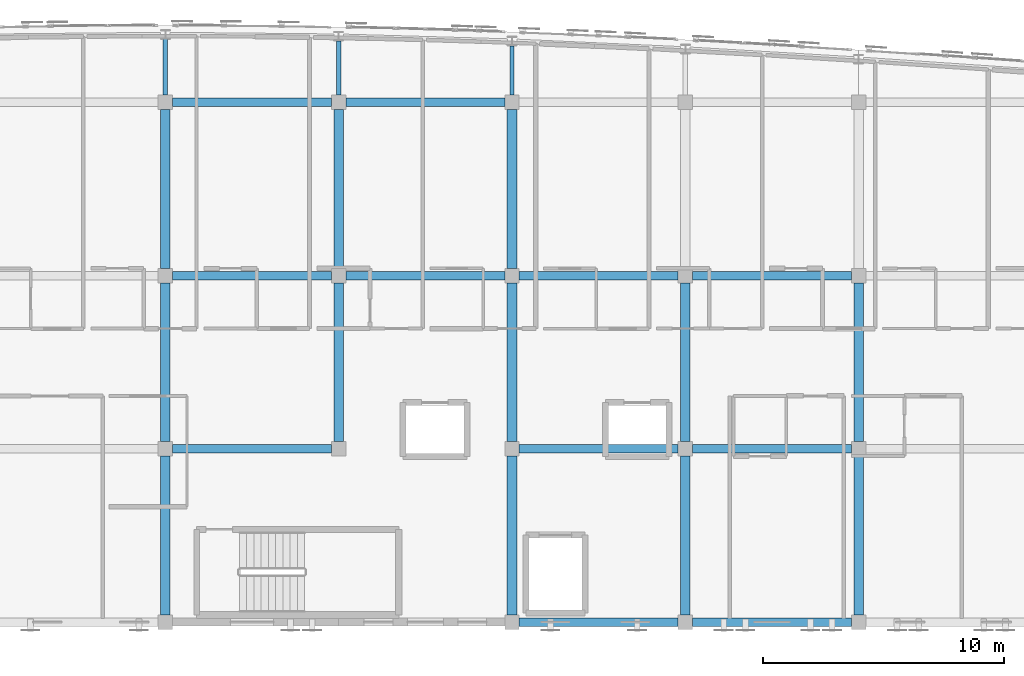
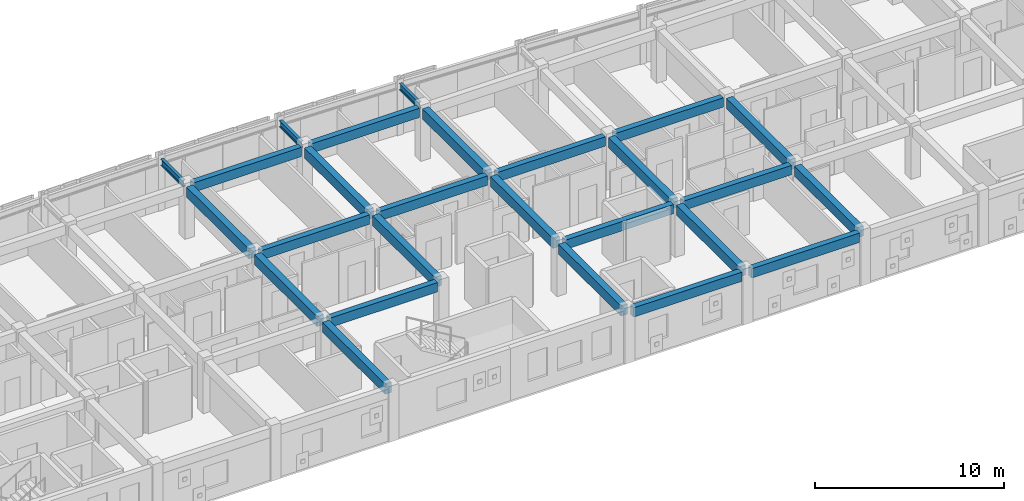
# One storey, part 17 of 45: 26 beams.
"""IFC4 building model written with IfcOpenShell, lengths in metres."""

from ifc_helpers import new_model, si_unit, direction, frame, origin, origin_2d, place, context, subcontext, project, spatial, rectangle, i_section, extrude, material, material_profile, profile_set, type_object, element, save


model = new_model("IFC4")

# Units and contexts
model_context = context("Model", 3, precision=1e-05, world=origin(), true_north=direction((0.0, 1.0)))
body_context = subcontext(model_context, "Body", "Model", "MODEL_VIEW")
ifc_project = project(units=[si_unit("LENGTHUNIT", "METRE"), si_unit("AREAUNIT", "SQUARE_METRE"), si_unit("VOLUMEUNIT", "CUBIC_METRE"), si_unit("PLANEANGLEUNIT", "RADIAN"), si_unit("MASSUNIT", "GRAM", prefix="KILO")], contexts=[model_context])

# Site, building, storey
site_placement = place(None, origin())
site = spatial("IfcSite", under=ifc_project, at=site_placement, CompositionType="ELEMENT")
building_placement = place(site_placement, origin())
building = spatial("IfcBuilding", under=site, at=building_placement, Name="Carrowvane Square Congress Hotel", CompositionType="ELEMENT")
storey_placement = place(building_placement, frame((0.0, 0.0, 33.60009765625)))
storey = spatial("IfcBuildingStorey", under=building, at=storey_placement, Name="L08", CompositionType="ELEMENT", Elevation=33.60009765625)

# Beams
ifc_material_1 = material(Name="Concrete C35/45", Category="concrete")
ifc_material_profile_1 = material_profile(ifc_material_1, rectangle(XDim=0.35009765625, YDim=0.60009765625, at=origin_2d()), Name="RC 350x600")
ifc_profile_set_1 = profile_set([ifc_material_profile_1], Name="Concrete C35/45")
beam_type_1 = type_object("IfcBeamType", Name="BM-RC-350x600", PredefinedType="BEAM", material=ifc_profile_set_1)
for number, where, z_axis, x_axis, name in (
    (1, (112.699951171875, 91.800048828125, 3.059814453125), (1.0, 0.0, 0.0), (0.0, 1.0, 0.0), "L09 girder N/15-16"),
    (2, (119.89990234375, 91.800048828125, 3.059814453125), (1.0, 0.0, 0.0), (0.0, 1.0, 0.0), "L09 girder N/16-17"),
):
    element("IfcBeam", number, at=place(storey_placement, frame(where, z_axis=z_axis, x_axis=x_axis)), inside=storey, type_object=beam_type_1, Name=name, PredefinedType="BEAM", context=body_context, shape_type="SweptSolid", body=[
        extrude(rectangle(XDim=0.35009765625, YDim=0.60009765625, at=origin_2d()), origin(), (0.0, 0.0, 1.0), 6.60009765625),
    ])
beam_1_placement = place(storey_placement, frame((98.300048828125, 99.0, 3.059814453125), z_axis=(1.0, 0.0, 0.0), x_axis=(0.0, 1.0, 0.0)))
element("IfcBeam", 3, at=beam_1_placement, inside=storey, type_object=beam_type_1, Name="L09 girder P/13-14", PredefinedType="BEAM", context=body_context, shape_type="SweptSolid", body=[
    extrude(rectangle(XDim=0.35009765625, YDim=0.60009765625, at=origin_2d()), origin(), (0.0, 0.0, 1.0), 6.599853515625),
])
for number, where, z_axis, x_axis, name in (
    (4, (112.699951171875, 99.0, 3.059814453125), (1.0, 0.0, 0.0), (0.0, 1.0, 0.0), "L09 girder P/15-16"),
    (5, (119.89990234375, 99.0, 3.059814453125), (1.0, 0.0, 0.0), (0.0, 1.0, 0.0), "L09 girder P/16-17"),
):
    element("IfcBeam", number, at=place(storey_placement, frame(where, z_axis=z_axis, x_axis=x_axis)), inside=storey, type_object=beam_type_1, Name=name, PredefinedType="BEAM", context=body_context, shape_type="SweptSolid", body=[
        extrude(rectangle(XDim=0.35009765625, YDim=0.60009765625, at=origin_2d()), origin(), (0.0, 0.0, 1.0), 6.60009765625),
    ])
beam_2_placement = place(storey_placement, frame((98.300048828125, 106.199951171875, 3.059814453125), z_axis=(1.0, 0.0, 0.0), x_axis=(0.0, 1.0, 0.0)))
element("IfcBeam", 6, at=beam_2_placement, inside=storey, type_object=beam_type_1, Name="L09 girder Q/13-14", PredefinedType="BEAM", context=body_context, shape_type="SweptSolid", body=[
    extrude(rectangle(XDim=0.35009765625, YDim=0.60009765625, at=origin_2d()), origin(), (0.0, 0.0, 1.0), 6.599853515625),
])
for number, where, z_axis, x_axis, name in (
    (7, (105.5, 106.199951171875, 3.059814453125), (1.0, 0.0, 0.0), (0.0, 1.0, 0.0), "L09 girder Q/14-15"),
    (8, (112.699951171875, 106.199951171875, 3.059814453125), (1.0, 0.0, 0.0), (0.0, 1.0, 0.0), "L09 girder Q/15-16"),
    (9, (119.89990234375, 106.199951171875, 3.059814453125), (1.0, 0.0, 0.0), (0.0, 1.0, 0.0), "L09 girder Q/16-17"),
):
    element("IfcBeam", number, at=place(storey_placement, frame(where, z_axis=z_axis, x_axis=x_axis)), inside=storey, type_object=beam_type_1, Name=name, PredefinedType="BEAM", context=body_context, shape_type="SweptSolid", body=[
        extrude(rectangle(XDim=0.35009765625, YDim=0.60009765625, at=origin_2d()), origin(), (0.0, 0.0, 1.0), 6.60009765625),
    ])
beam_3_placement = place(storey_placement, frame((98.300048828125, 113.39990234375, 3.059814453125), z_axis=(1.0, 0.0, 0.0), x_axis=(0.0, 1.0, 0.0)))
element("IfcBeam", 10, at=beam_3_placement, inside=storey, type_object=beam_type_1, Name="L09 girder R/13-14", PredefinedType="BEAM", context=body_context, shape_type="SweptSolid", body=[
    extrude(rectangle(XDim=0.35009765625, YDim=0.60009765625, at=origin_2d()), origin(), (0.0, 0.0, 1.0), 6.599853515625),
])
beam_4_placement = place(storey_placement, frame((105.5, 113.39990234375, 3.059814453125), z_axis=(1.0, 0.0, 0.0), x_axis=(0.0, 1.0, 0.0)))
element("IfcBeam", 11, at=beam_4_placement, inside=storey, type_object=beam_type_1, Name="L09 girder R/14-15", PredefinedType="BEAM", context=body_context, shape_type="SweptSolid", body=[
    extrude(rectangle(XDim=0.35009765625, YDim=0.60009765625, at=origin_2d()), origin(), (0.0, 0.0, 1.0), 6.60009765625),
])
ifc_material_2 = material(Name="Concrete C35/45", Category="concrete")
ifc_material_profile_2 = material_profile(ifc_material_2, rectangle(XDim=0.39990234375, YDim=0.64990234375, at=origin_2d()), Name="RC 400x650")
ifc_profile_set_2 = profile_set([ifc_material_profile_2], Name="Concrete C35/45")
beam_type_2 = type_object("IfcBeamType", Name="BM-RC-400x650", PredefinedType="BEAM", material=ifc_profile_set_2)
for number, where, z_axis, x_axis, name in (
    (12, (98.0, 92.10009765625, 3.034912109375), (0.0, 1.0, 0.0), (-1.0, 0.0, 0.0), "L09 girder 13/N-P"),
    (13, (98.0, 99.300048828125, 3.034912109375), (0.0, 1.0, 0.0), (-1.0, 0.0, 0.0), "L09 girder 13/P-Q"),
):
    element("IfcBeam", number, at=place(storey_placement, frame(where, z_axis=z_axis, x_axis=x_axis)), inside=storey, type_object=beam_type_2, Name=name, PredefinedType="BEAM", context=body_context, shape_type="SweptSolid", body=[
        extrude(rectangle(XDim=0.39990234375, YDim=0.64990234375, at=origin_2d()), origin(), (0.0, 0.0, 1.0), 6.599853515625),
    ])
beam_5_placement = place(storey_placement, frame((98.0, 106.5, 3.034912109375), z_axis=(0.0, 1.0, 0.0), x_axis=(-1.0, 0.0, 0.0)))
element("IfcBeam", 14, at=beam_5_placement, inside=storey, type_object=beam_type_2, Name="L09 girder 13/Q-R", PredefinedType="BEAM", context=body_context, shape_type="SweptSolid", body=[
    extrude(rectangle(XDim=0.39990234375, YDim=0.64990234375, at=origin_2d()), origin(), (0.0, 0.0, 1.0), 6.60009765625),
])
beam_6_placement = place(storey_placement, frame((105.199951171875, 99.300048828125, 3.034912109375), z_axis=(0.0, 1.0, 0.0), x_axis=(-1.0, 0.0, 0.0)))
element("IfcBeam", 15, at=beam_6_placement, inside=storey, type_object=beam_type_2, Name="L09 girder 14/P-Q", PredefinedType="BEAM", context=body_context, shape_type="SweptSolid", body=[
    extrude(rectangle(XDim=0.39990234375, YDim=0.64990234375, at=origin_2d()), origin(), (0.0, 0.0, 1.0), 6.599853515625),
])
beam_7_placement = place(storey_placement, frame((105.199951171875, 106.5, 3.034912109375), z_axis=(0.0, 1.0, 0.0), x_axis=(-1.0, 0.0, 0.0)))
element("IfcBeam", 16, at=beam_7_placement, inside=storey, type_object=beam_type_2, Name="L09 girder 14/Q-R", PredefinedType="BEAM", context=body_context, shape_type="SweptSolid", body=[
    extrude(rectangle(XDim=0.39990234375, YDim=0.64990234375, at=origin_2d()), origin(), (0.0, 0.0, 1.0), 6.60009765625),
])
for number, where, z_axis, x_axis, name in (
    (17, (112.39990234375, 92.10009765625, 3.034912109375), (0.0, 1.0, 0.0), (-1.0, 0.0, 0.0), "L09 girder 15/N-P"),
    (18, (112.39990234375, 99.300048828125, 3.034912109375), (0.0, 1.0, 0.0), (-1.0, 0.0, 0.0), "L09 girder 15/P-Q"),
):
    element("IfcBeam", number, at=place(storey_placement, frame(where, z_axis=z_axis, x_axis=x_axis)), inside=storey, type_object=beam_type_2, Name=name, PredefinedType="BEAM", context=body_context, shape_type="SweptSolid", body=[
        extrude(rectangle(XDim=0.39990234375, YDim=0.64990234375, at=origin_2d()), origin(), (0.0, 0.0, 1.0), 6.599853515625),
    ])
beam_8_placement = place(storey_placement, frame((112.39990234375, 106.5, 3.034912109375), z_axis=(0.0, 1.0, 0.0), x_axis=(-1.0, 0.0, 0.0)))
element("IfcBeam", 19, at=beam_8_placement, inside=storey, type_object=beam_type_2, Name="L09 girder 15/Q-R", PredefinedType="BEAM", context=body_context, shape_type="SweptSolid", body=[
    extrude(rectangle(XDim=0.39990234375, YDim=0.64990234375, at=origin_2d()), origin(), (0.0, 0.0, 1.0), 6.60009765625),
])
for number, where, z_axis, x_axis, name in (
    (20, (119.60009765625, 92.10009765625, 3.034912109375), (0.0, 1.0, 0.0), (-1.0, 0.0, 0.0), "L09 girder 16/N-P"),
    (21, (119.60009765625, 99.300048828125, 3.034912109375), (0.0, 1.0, 0.0), (-1.0, 0.0, 0.0), "L09 girder 16/P-Q"),
    (22, (126.800048828125, 92.10009765625, 3.034912109375), (0.0, 1.0, 0.0), (-1.0, 0.0, 0.0), "L09 girder 17/N-P"),
    (23, (126.800048828125, 99.300048828125, 3.034912109375), (0.0, 1.0, 0.0), (-1.0, 0.0, 0.0), "L09 girder 17/P-Q"),
):
    element("IfcBeam", number, at=place(storey_placement, frame(where, z_axis=z_axis, x_axis=x_axis)), inside=storey, type_object=beam_type_2, Name=name, PredefinedType="BEAM", context=body_context, shape_type="SweptSolid", body=[
        extrude(rectangle(XDim=0.39990234375, YDim=0.64990234375, at=origin_2d()), origin(), (0.0, 0.0, 1.0), 6.599853515625),
    ])
ifc_material_3 = material(Name="Steel S355", Category="steel")
ifc_material_profile_3 = material_profile(ifc_material_3, i_section(OverallWidth=0.1787109375, OverallDepth=0.409423828125, WebThickness=0.0087890625, FlangeThickness=0.014404296875, FilletRadius=0.01025390625, at=origin_2d()), Name="UKB 406x178x67")
ifc_profile_set_3 = profile_set([ifc_material_profile_3], Name="Steel S355")
beam_type_3 = type_object("IfcBeamType", Name="BM-ST-UKB406", PredefinedType="BEAM", material=ifc_profile_set_3)
beam_9_placement = place(storey_placement, frame((98.0, 113.699951171875, 3.1552734375), z_axis=(0.0, 1.0, 0.0), x_axis=(-1.0, 0.0, 0.0)))
element("IfcBeam", 24, at=beam_9_placement, inside=storey, type_object=beam_type_3, Name="L09 radial north beam 13", PredefinedType="BEAM", context=body_context, shape_type="SweptSolid", body=[
    extrude(i_section(OverallWidth=0.1787109375, OverallDepth=0.409423828125, WebThickness=0.0087890625, FlangeThickness=0.014404296875, FilletRadius=0.01025390625, at=origin_2d()), origin(), (0.0, 0.0, 1.0), 2.32275390625),
])
beam_10_placement = place(storey_placement, frame((105.199951171875, 113.699951171875, 3.1552734375), z_axis=(0.0, 1.0, 0.0), x_axis=(-1.0, 0.0, 0.0)))
element("IfcBeam", 25, at=beam_10_placement, inside=storey, type_object=beam_type_3, Name="L09 radial north beam 14", PredefinedType="BEAM", context=body_context, shape_type="SweptSolid", body=[
    extrude(i_section(OverallWidth=0.1787109375, OverallDepth=0.409423828125, WebThickness=0.0087890625, FlangeThickness=0.014404296875, FilletRadius=0.01025390625, at=origin_2d()), origin(), (0.0, 0.0, 1.0), 2.25244140625),
])
beam_11_placement = place(storey_placement, frame((112.39990234375, 113.699951171875, 3.1552734375), z_axis=(0.0, 1.0, 0.0), x_axis=(-1.0, 0.0, 0.0)))
element("IfcBeam", 26, at=beam_11_placement, inside=storey, type_object=beam_type_3, Name="L09 radial north beam 15", PredefinedType="BEAM", context=body_context, shape_type="SweptSolid", body=[
    extrude(i_section(OverallWidth=0.1787109375, OverallDepth=0.409423828125, WebThickness=0.0087890625, FlangeThickness=0.014404296875, FilletRadius=0.01025390625, at=origin_2d()), origin(), (0.0, 0.0, 1.0), 2.046630859375),
])

save(model, "model.ifc")
